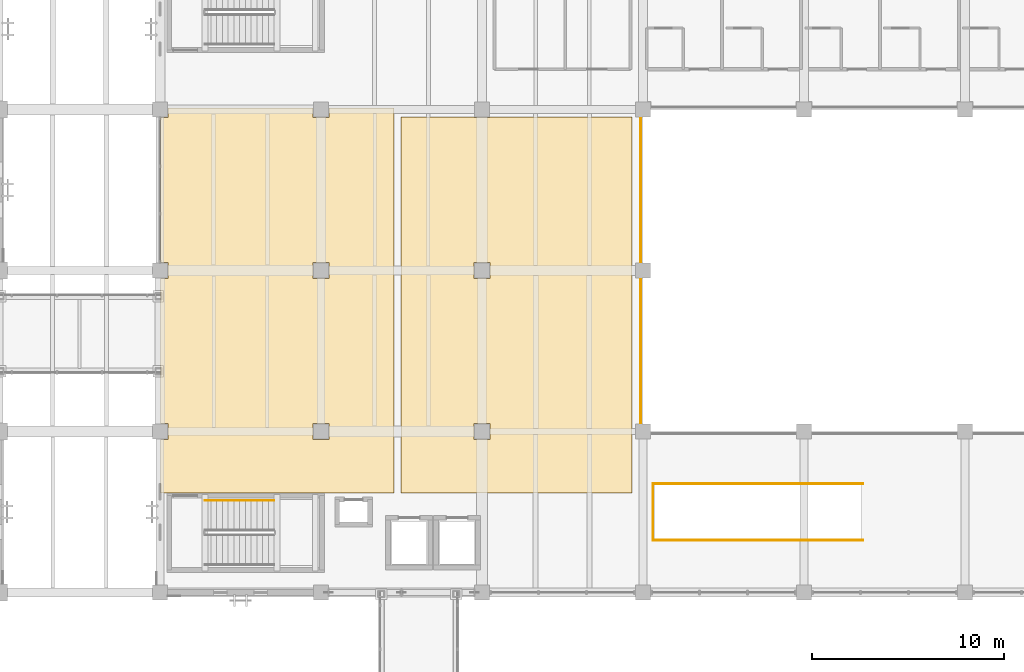
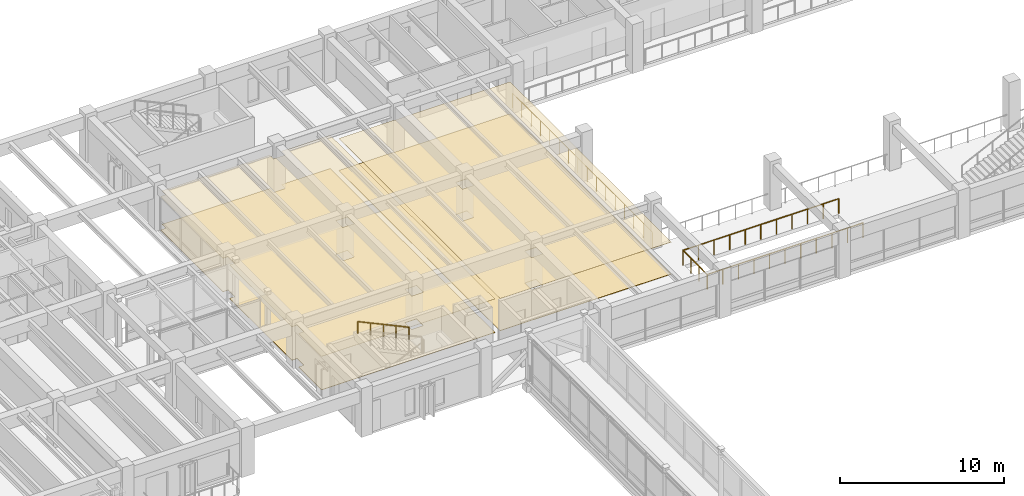
# One storey, part 107 of 118: 5 railings, 4 coverings.
"""IFC4 building model written with IfcOpenShell, lengths in metres."""

from ifc_helpers import new_model, si_unit, direction, frame, origin, origin_2d, place, context, subcontext, project, spatial, polyline, circle, outline, extrude, material, layer, layer_set, type_object, element, save


model = new_model("IFC4")

# Units and contexts
model_context = context("Model", 3, precision=1e-05, world=origin(), true_north=direction((0.0, 1.0)))
body_context = subcontext(model_context, "Body", "Model", "MODEL_VIEW")
ifc_project = project(units=[si_unit("LENGTHUNIT", "METRE"), si_unit("AREAUNIT", "SQUARE_METRE"), si_unit("VOLUMEUNIT", "CUBIC_METRE"), si_unit("PLANEANGLEUNIT", "RADIAN"), si_unit("MASSUNIT", "GRAM", prefix="KILO")], contexts=[model_context])

# Site, building, storey
site_placement = place(None, origin())
site = spatial("IfcSite", under=ifc_project, at=site_placement, CompositionType="ELEMENT")
building_placement = place(site_placement, origin())
building = spatial("IfcBuilding", under=site, at=building_placement, Name="Cumbredor Promenade Congress Hotel", CompositionType="ELEMENT")
storey_placement = place(building_placement, frame((0.0, 0.0, 3.919921875)))
storey = spatial("IfcBuildingStorey", under=building, at=storey_placement, Name="L01", CompositionType="ELEMENT", Elevation=3.919921875)

# Coverings
ifc_material_1 = material(Name="Acoustic mineral-fiber and gypsum ceiling")
ifc_layer_1 = layer(ifc_material_1, 0.02197265625, Name="Acoustic mineral-fiber and gypsum ceiling")
ifc_layer_set_1 = layer_set([ifc_layer_1], Name="Acoustic mineral-fiber and gypsum ceiling")
covering_type_1 = type_object("IfcCoveringType", Name="Acoustic Perforated Gypsum Ceiling CLG-02 22mm", PredefinedType="CEILING", material=ifc_layer_set_1)
covering_1_placement = place(storey_placement, frame((0.0, 0.0, 2.489013671875)))
element("IfcCovering", 1, at=covering_1_placement, inside=storey, type_object=covering_type_1, Name="L01 West Breakout Seminar Suite 1 Acoustic Ceiling", PredefinedType="CEILING", context=body_context, shape_type="SweptSolid", body=[
    extrude(outline(polyline([(92.804931640625, 100.39501953125), (92.804931640625, 101.205078125), (92.429931640625, 101.205078125), (92.429931640625, 108.794921875), (92.804931640625, 108.794921875), (92.804931640625, 109.27001953125), (100.39501953125, 109.27001953125), (100.39501953125, 108.794921875), (101.205078125, 108.794921875), (101.205078125, 109.27001953125), (104.6201171875, 109.27001953125), (104.6201171875, 89.179931640625), (92.429931640625, 89.179931640625), (92.429931640625, 91.9951171875), (92.804931640625, 91.9951171875), (92.804931640625, 92.804931640625), (92.429931640625, 92.804931640625), (92.429931640625, 100.39501953125), (92.804931640625, 100.39501953125)]), holes=[polyline([(100.39501953125, 91.9951171875), (101.205078125, 91.9951171875), (101.205078125, 92.804931640625), (100.39501953125, 92.804931640625), (100.39501953125, 91.9951171875)]), polyline([(100.39501953125, 101.205078125), (100.39501953125, 100.39501953125), (101.205078125, 100.39501953125), (101.205078125, 101.205078125), (100.39501953125, 101.205078125)])]), origin(), (0.0, 0.0, 1.0), 0.02197265625),
])
ifc_layer_2 = layer(ifc_material_1, 0.028076171875, Name="Acoustic mineral-fiber and gypsum ceiling")
ifc_layer_set_2 = layer_set([ifc_layer_2], Name="Acoustic mineral-fiber and gypsum ceiling")
covering_type_2 = type_object("IfcCoveringType", Name="Acoustic Perforated Gypsum Ceiling CLG-03 28mm", PredefinedType="CEILING", material=ifc_layer_set_2)
covering_2_placement = place(storey_placement, frame((0.0, 0.0, 2.383056640625)))
element("IfcCovering", 2, at=covering_2_placement, inside=storey, type_object=covering_type_2, Name="L01 West Breakout Seminar Suite 2 Acoustic Ceiling", PredefinedType="CEILING", context=body_context, shape_type="SweptSolid", body=[
    extrude(outline(polyline([(117.02001953125, 89.179931640625), (104.97998046875, 89.179931640625), (104.97998046875, 108.820068359375), (108.794921875, 108.820068359375), (108.794921875, 108.794921875), (109.60498046875, 108.794921875), (109.60498046875, 108.820068359375), (117.02001953125, 108.820068359375), (117.02001953125, 89.179931640625)]), holes=[polyline([(108.794921875, 91.9951171875), (109.60498046875, 91.9951171875), (109.60498046875, 92.804931640625), (108.794921875, 92.804931640625), (108.794921875, 91.9951171875)]), polyline([(108.794921875, 101.205078125), (108.794921875, 100.39501953125), (109.60498046875, 100.39501953125), (109.60498046875, 101.205078125), (108.794921875, 101.205078125)])]), origin(), (0.0, 0.0, 1.0), 0.028076171875),
])

# Railings
ifc_material_2 = material(Name="Brushed stainless steel", Category="steel")
railing_type_1 = type_object("IfcRailingType", Name="Interior Void & Stair Guardrail GR-1100", PredefinedType="GUARDRAIL", material=ifc_material_2)
for number, where, name in (
    (3, (118.1201171875, 86.719970703125, 0.0), "L01 vm_05_well Void Perimeter Guardrail 1"),
    (4, (118.1201171875, 89.679931640625, 0.0), "L01 vm_05_well Void Perimeter Guardrail 2"),
):
    element("IfcRailing", number, at=place(storey_placement, frame(where)), inside=storey, type_object=railing_type_1, Name=name, PredefinedType="GUARDRAIL", context=body_context, shape_type="SweptSolid", body=[
        extrude(circle(Radius=0.02392578125, at=origin_2d()), frame((0.0, 0.0, 1.09619140625), z_axis=(1.0, 0.0, 0.0), x_axis=(0.0, 1.0, 0.0)), (0.0, 0.0, 1.0), 10.9599609375),
        extrude(circle(Radius=0.02099609375, at=origin_2d()), origin(), (0.0, 0.0, 1.0), 1.072021484375),
        extrude(circle(Radius=0.02099609375, at=origin_2d()), frame((1.095947265625, 0.0, 0.0)), (0.0, 0.0, 1.0), 1.072021484375),
        extrude(circle(Radius=0.02099609375, at=origin_2d()), frame((2.19189453125, 0.0, 0.0)), (0.0, 0.0, 1.0), 1.072021484375),
        extrude(circle(Radius=0.02099609375, at=origin_2d()), frame((3.2880859375, 0.0, 0.0)), (0.0, 0.0, 1.0), 1.072021484375),
        extrude(circle(Radius=0.02099609375, at=origin_2d()), frame((4.384033203125, 0.0, 0.0)), (0.0, 0.0, 1.0), 1.072021484375),
        extrude(circle(Radius=0.02099609375, at=origin_2d()), frame((5.47998046875, 0.0, 0.0)), (0.0, 0.0, 1.0), 1.072021484375),
        extrude(circle(Radius=0.02099609375, at=origin_2d()), frame((6.575927734375, 0.0, 0.0)), (0.0, 0.0, 1.0), 1.072021484375),
        extrude(circle(Radius=0.02099609375, at=origin_2d()), frame((7.671875, 0.0, 0.0)), (0.0, 0.0, 1.0), 1.072021484375),
        extrude(circle(Radius=0.02099609375, at=origin_2d()), frame((8.76806640625, 0.0, 0.0)), (0.0, 0.0, 1.0), 1.072021484375),
        extrude(circle(Radius=0.02099609375, at=origin_2d()), frame((9.864013671875, 0.0, 0.0)), (0.0, 0.0, 1.0), 1.072021484375),
        extrude(circle(Radius=0.02099609375, at=origin_2d()), frame((10.9599609375, 0.0, 0.0)), (0.0, 0.0, 1.0), 1.072021484375),
    ])
railing_1_placement = place(storey_placement, frame((118.1201171875, 86.719970703125, 0.0)))
element("IfcRailing", 5, at=railing_1_placement, inside=storey, type_object=railing_type_1, Name="L01 vm_05_well Void Perimeter Guardrail 3", PredefinedType="GUARDRAIL", context=body_context, shape_type="SweptSolid", body=[
    extrude(circle(Radius=0.02392578125, at=origin_2d()), frame((0.0, 0.0, 1.09619140625), z_axis=(0.0, 1.0, 0.0), x_axis=(-1.0, 0.0, 0.0)), (0.0, 0.0, 1.0), 2.9599609375),
    extrude(circle(Radius=0.02099609375, at=origin_2d()), origin(), (0.0, 0.0, 1.0), 1.072021484375),
    extrude(circle(Radius=0.02099609375, at=origin_2d()), frame((0.0, 0.986572265625, 0.0)), (0.0, 0.0, 1.0), 1.072021484375),
    extrude(circle(Radius=0.02099609375, at=origin_2d()), frame((0.0, 1.973388671875, 0.0)), (0.0, 0.0, 1.0), 1.072021484375),
    extrude(circle(Radius=0.02099609375, at=origin_2d()), frame((0.0, 2.9599609375, 0.0)), (0.0, 0.0, 1.0), 1.072021484375),
])
railing_2_placement = place(storey_placement, frame((117.47998046875, 109.320068359375, 0.0)))
element("IfcRailing", 6, at=railing_2_placement, inside=storey, type_object=railing_type_1, Name="L01 v4_forum_atrium Void Perimeter Guardrail 4", PredefinedType="GUARDRAIL", context=body_context, shape_type="SweptSolid", body=[
    extrude(circle(Radius=0.02392578125, at=origin_2d()), frame((0.0, 0.0, 1.09619140625), z_axis=(0.0, -1.0, 0.0), x_axis=(1.0, 0.0, 0.0)), (0.0, 0.0, 1.0), 17.0400390625),
    extrude(circle(Radius=0.02099609375, at=origin_2d()), origin(), (0.0, 0.0, 1.0), 1.072021484375),
    extrude(circle(Radius=0.02099609375, at=origin_2d()), frame((0.0, -1.135986328125, 0.0)), (0.0, 0.0, 1.0), 1.072021484375),
    extrude(circle(Radius=0.02099609375, at=origin_2d()), frame((0.0, -2.27197265625, 0.0)), (0.0, 0.0, 1.0), 1.072021484375),
    extrude(circle(Radius=0.02099609375, at=origin_2d()), frame((0.0, -3.407958984375, 0.0)), (0.0, 0.0, 1.0), 1.072021484375),
    extrude(circle(Radius=0.02099609375, at=origin_2d()), frame((0.0, -4.5439453125, 0.0)), (0.0, 0.0, 1.0), 1.072021484375),
    extrude(circle(Radius=0.02099609375, at=origin_2d()), frame((0.0, -5.679931640625, 0.0)), (0.0, 0.0, 1.0), 1.072021484375),
    extrude(circle(Radius=0.02099609375, at=origin_2d()), frame((0.0, -6.81591796875, 0.0)), (0.0, 0.0, 1.0), 1.072021484375),
    extrude(circle(Radius=0.02099609375, at=origin_2d()), frame((0.0, -7.951904296875, 0.0)), (0.0, 0.0, 1.0), 1.072021484375),
    extrude(circle(Radius=0.02099609375, at=origin_2d()), frame((0.0, -9.088134765625, 0.0)), (0.0, 0.0, 1.0), 1.072021484375),
    extrude(circle(Radius=0.02099609375, at=origin_2d()), frame((0.0, -10.22412109375, 0.0)), (0.0, 0.0, 1.0), 1.072021484375),
    extrude(circle(Radius=0.02099609375, at=origin_2d()), frame((0.0, -11.360107421875, 0.0)), (0.0, 0.0, 1.0), 1.072021484375),
    extrude(circle(Radius=0.02099609375, at=origin_2d()), frame((0.0, -12.49609375, 0.0)), (0.0, 0.0, 1.0), 1.072021484375),
    extrude(circle(Radius=0.02099609375, at=origin_2d()), frame((0.0, -13.632080078125, 0.0)), (0.0, 0.0, 1.0), 1.072021484375),
    extrude(circle(Radius=0.02099609375, at=origin_2d()), frame((0.0, -14.76806640625, 0.0)), (0.0, 0.0, 1.0), 1.072021484375),
    extrude(circle(Radius=0.02099609375, at=origin_2d()), frame((0.0, -15.904052734375, 0.0)), (0.0, 0.0, 1.0), 1.072021484375),
    extrude(circle(Radius=0.02099609375, at=origin_2d()), frame((0.0, -17.0400390625, 0.0)), (0.0, 0.0, 1.0), 1.072021484375),
])

# Coverings
ifc_material_3 = material(Name="Porcelain stoneware tile", Category="masonry")
ifc_layer_3 = layer(ifc_material_3, 0.02490234375, Name="Porcelain stoneware tile", Category="masonry")
ifc_layer_set_3 = layer_set([ifc_layer_3], Name="Porcelain stoneware tile")
covering_type_3 = type_object("IfcCoveringType", Name="Porcelain Stoneware Flooring FLR-02 25mm", PredefinedType="FLOORING", material=ifc_layer_set_3)
covering_3_placement = place(storey_placement, origin())
element("IfcCovering", 7, at=covering_3_placement, inside=storey, type_object=covering_type_3, Name="L01 West Breakout Seminar Suite 1 Porcelain Flooring", PredefinedType="FLOORING", context=body_context, shape_type="SweptSolid", body=[
    extrude(outline(polyline([(92.804931640625, 100.39501953125), (92.804931640625, 101.205078125), (92.429931640625, 101.205078125), (92.429931640625, 108.794921875), (92.804931640625, 108.794921875), (92.804931640625, 109.27001953125), (100.39501953125, 109.27001953125), (100.39501953125, 108.794921875), (101.205078125, 108.794921875), (101.205078125, 109.27001953125), (104.6201171875, 109.27001953125), (104.6201171875, 89.179931640625), (92.429931640625, 89.179931640625), (92.429931640625, 91.9951171875), (92.804931640625, 91.9951171875), (92.804931640625, 92.804931640625), (92.429931640625, 92.804931640625), (92.429931640625, 100.39501953125), (92.804931640625, 100.39501953125)]), holes=[polyline([(100.39501953125, 91.9951171875), (101.205078125, 91.9951171875), (101.205078125, 92.804931640625), (100.39501953125, 92.804931640625), (100.39501953125, 91.9951171875)]), polyline([(100.39501953125, 101.205078125), (100.39501953125, 100.39501953125), (101.205078125, 100.39501953125), (101.205078125, 101.205078125), (100.39501953125, 101.205078125)])]), origin(), (0.0, 0.0, 1.0), 0.025146484375),
])
ifc_layer_4 = layer(ifc_material_3, 0.030029296875, Name="Porcelain stoneware tile", Category="masonry")
ifc_layer_set_4 = layer_set([ifc_layer_4], Name="Porcelain stoneware tile")
covering_type_4 = type_object("IfcCoveringType", Name="Porcelain Stoneware Flooring FLR-03 30mm", PredefinedType="FLOORING", material=ifc_layer_set_4)
covering_4_placement = place(storey_placement, origin())
element("IfcCovering", 8, at=covering_4_placement, inside=storey, type_object=covering_type_4, Name="L01 West Breakout Seminar Suite 2 Porcelain Flooring", PredefinedType="FLOORING", context=body_context, shape_type="SweptSolid", body=[
    extrude(outline(polyline([(117.02001953125, 89.179931640625), (104.97998046875, 89.179931640625), (104.97998046875, 108.820068359375), (108.794921875, 108.820068359375), (108.794921875, 108.794921875), (109.60498046875, 108.794921875), (109.60498046875, 108.820068359375), (117.02001953125, 108.820068359375), (117.02001953125, 89.179931640625)]), holes=[polyline([(108.794921875, 91.9951171875), (109.60498046875, 91.9951171875), (109.60498046875, 92.804931640625), (108.794921875, 92.804931640625), (108.794921875, 91.9951171875)]), polyline([(108.794921875, 101.205078125), (108.794921875, 100.39501953125), (109.60498046875, 100.39501953125), (109.60498046875, 101.205078125), (108.794921875, 101.205078125)])]), origin(), (0.0, 0.0, 1.0), 0.030029296875),
])

# Railing
railing_type_2 = type_object("IfcRailingType", Name="Stair Pitch Handrail HR-900", PredefinedType="HANDRAIL", material=ifc_material_2)
railing_3_placement = place(storey_placement, frame((98.35009765625, 88.800048828125, 1.9599609375)))
element("IfcRailing", 9, at=railing_3_placement, inside=storey, type_object=railing_type_2, Name="L01 ST-13 stair handrail 2", PredefinedType="HANDRAIL", context=body_context, shape_type="SweptSolid", body=[
    extrude(circle(Radius=0.02392578125, at=origin_2d()), frame((0.0, 0.0, 0.8759765625), z_axis=(-0.906170580071, 0.0, 0.422912378411), x_axis=(0.0, -1.0, 0.0)), (0.0, 0.0, 1.0), 3.972900390625),
    extrude(circle(Radius=0.02099609375, at=origin_2d()), origin(), (0.0, 0.0, 1.0), 0.851806640625),
    extrude(circle(Radius=0.02099609375, at=origin_2d()), frame((-0.89990234375, 0.0, 0.419921875)), (0.0, 0.0, 1.0), 0.851806640625),
    extrude(circle(Radius=0.02099609375, at=origin_2d()), frame((-1.800048828125, 0.0, 0.840087890625)), (0.0, 0.0, 1.0), 0.851806640625),
    extrude(circle(Radius=0.02099609375, at=origin_2d()), frame((-2.7001953125, 0.0, 1.26025390625)), (0.0, 0.0, 1.0), 0.851806640625),
    extrude(circle(Radius=0.02099609375, at=origin_2d()), frame((-3.60009765625, 0.0, 1.68017578125)), (0.0, 0.0, 1.0), 0.851806640625),
])

save(model, "model.ifc")
